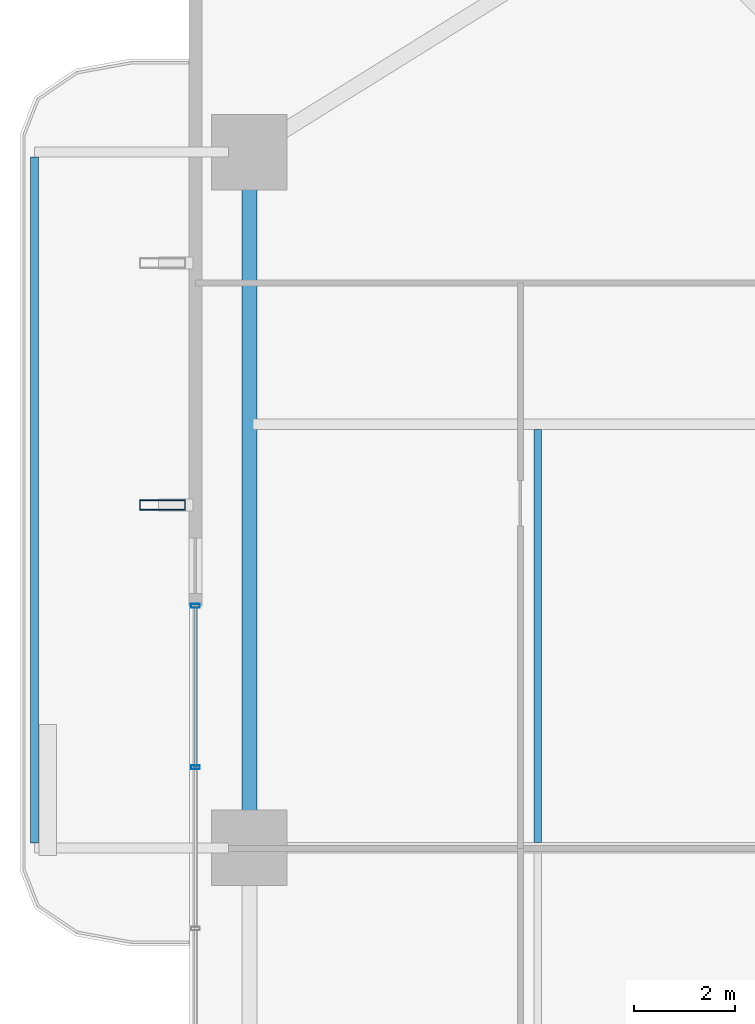
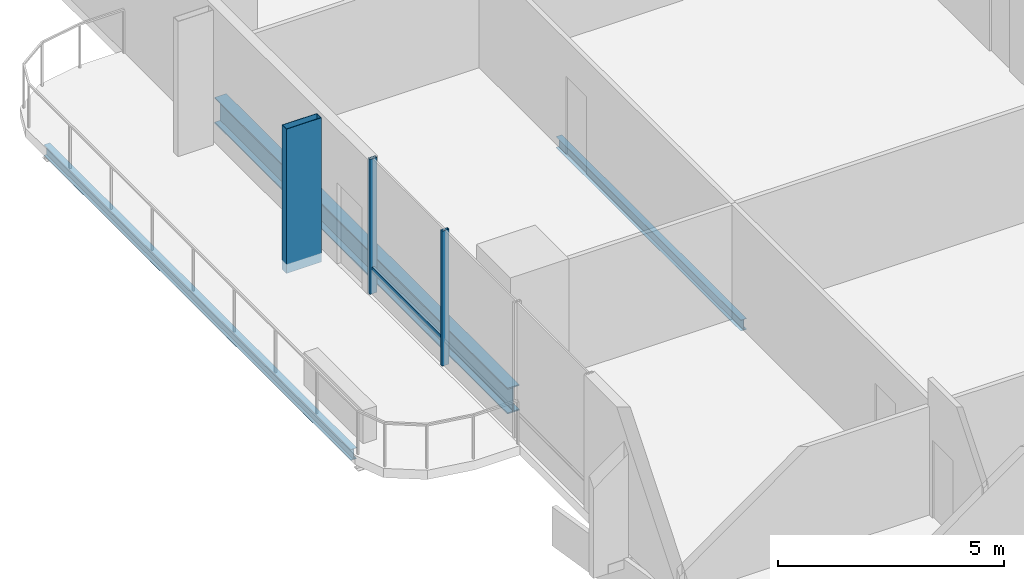
# One storey, part 9 of 23: 4 members, 3 beams, 1 element without a shape of its own.
"""IFC4 building model written with IfcOpenShell, lengths in metres."""

from ifc_helpers import new_model, si_unit, direction, frame, origin, origin_2d, place, context, subcontext, project, spatial, hollow_rectangle, i_section, extrude, material, layer, layer_set, material_profile, profile_set, type_object, element, aggregate, save


model = new_model("IFC4")

# Units and contexts
model_context = context("Model", 3, precision=1e-05, world=origin(), true_north=direction((0.0, 1.0)))
body_context = subcontext(model_context, "Body", "Model", "MODEL_VIEW")
ifc_project = project(units=[si_unit("LENGTHUNIT", "METRE"), si_unit("AREAUNIT", "SQUARE_METRE"), si_unit("VOLUMEUNIT", "CUBIC_METRE"), si_unit("PLANEANGLEUNIT", "RADIAN"), si_unit("MASSUNIT", "GRAM", prefix="KILO")], contexts=[model_context])

# Site, building, storey
site_placement = place(None, origin())
site = spatial("IfcSite", under=ifc_project, at=site_placement, CompositionType="ELEMENT")
building_placement = place(site_placement, origin())
building = spatial("IfcBuilding", under=site, at=building_placement, Name="Belovzor Exchange Tower", CompositionType="ELEMENT")
storey_placement = place(building_placement, frame((0.0, 0.0, 100.199951171875)))
storey = spatial("IfcBuildingStorey", under=building, at=storey_placement, Name="L24", CompositionType="ELEMENT", Elevation=100.199951171875)

# Beams
ifc_material_1 = material(Name="Steel S355", Category="steel")
ifc_material_profile_1 = material_profile(ifc_material_1, i_section(OverallWidth=0.14990234375, OverallDepth=0.300048828125, WebThickness=0.007080078125, FlangeThickness=0.0107421875, at=origin_2d()))
ifc_profile_set_1 = profile_set([ifc_material_profile_1], Name="Steel S355")
beam_type_1 = type_object("IfcBeamType", Name="Planted Balcony Fascia Edge Beam IPE 300", PredefinedType="BEAM", material=ifc_profile_set_1)
beam_1_placement = place(storey_placement, frame((-2.162109375, 42.5, -0.39990234375), z_axis=(0.0, -1.0, 0.0), x_axis=(1.0, 0.0, 0.0)))
element("IfcBeam", 1, at=beam_1_placement, inside=storey, type_object=beam_type_1, Name="BC-300 Planted Balcony Fascia Edge Beam IPE 300", PredefinedType="BEAM", context=body_context, shape_type="SweptSolid", body=[
    extrude(i_section(OverallWidth=0.14990234375, OverallDepth=0.300048828125, WebThickness=0.007080078125, FlangeThickness=0.0107421875, at=origin_2d()), origin(), (0.0, 0.0, 1.0), 13.60009765625),
])
ifc_material_2 = material(Name="Steel S355", Category="steel")
ifc_material_profile_2 = material_profile(ifc_material_2, i_section(OverallWidth=0.14990234375, OverallDepth=0.300048828125, WebThickness=0.007080078125, FlangeThickness=0.0107421875, at=origin_2d()))
ifc_profile_set_2 = profile_set([ifc_material_profile_2], Name="Steel S355")
beam_type_2 = type_object("IfcBeamType", Name="Secondary Trim Floor Joist IPE 300", PredefinedType="BEAM", material=ifc_profile_set_2)
beam_2_placement = place(storey_placement, frame((7.81494140625, 28.905029296875, -0.39990234375), z_axis=(0.0, 1.0, 0.0), x_axis=(-1.0, 0.0, 0.0)))
element("IfcBeam", 2, at=beam_2_placement, inside=storey, type_object=beam_type_2, Name="FJ-300 Secondary Trim Floor Joist IPE 300", PredefinedType="BEAM", context=body_context, shape_type="SweptSolid", body=[
    extrude(i_section(OverallWidth=0.14990234375, OverallDepth=0.300048828125, WebThickness=0.007080078125, FlangeThickness=0.0107421875, at=origin_2d()), origin(), (0.0, 0.0, 1.0), 8.18994140625),
])

# Member
ifc_material_3 = material(Name="Extruded Architectural Terracotta on Steel S355 Carrier", Category="masonry")
ifc_material_profile_3 = material_profile(ifc_material_3, hollow_rectangle(XDim=0.199951171875, YDim=0.89990234375, WallThickness=0.011962890625, at=origin_2d()))
ifc_profile_set_3 = profile_set([ifc_material_profile_3], Name="Extruded Architectural Terracotta on Steel S355 Carrier")
member_type_1 = type_object("IfcMemberType", Name="Sweeping Terracotta Baguette Fin Assembly 1250", PredefinedType="USERDEFINED", material=ifc_profile_set_3)
member_1_placement = place(storey_placement, frame((0.375, 35.60009765625, -0.25), z_axis=(0.0, 0.0, 1.0), x_axis=(0.0, 1.0, 0.0)))
element("IfcMember", 3, at=member_1_placement, inside=storey, type_object=member_type_1, Name="FIN-TC125 Terracotta Facade Fin L24 W3", ObjectType="FIN", PredefinedType="USERDEFINED", context=body_context, shape_type="SweptSolid", body=[
    extrude(hollow_rectangle(XDim=0.199951171875, YDim=0.89990234375, WallThickness=0.011962890625, at=origin_2d()), origin(), (0.0, 0.0, 1.0), 3.900146484375),
])

# Curtain wall, members
ifc_material_4 = material(Name="Anodised Aluminium Framing", Category="aluminium")
ifc_layer = layer(ifc_material_4, 0.179931640625)
ifc_layer_set = layer_set([ifc_layer], Name="Anodised Aluminium Framing")
curtain_wall_type = type_object("IfcCurtainWallType", Name="Recessed Loggia Low-Iron Triple-Glazed Curtain Wall", PredefinedType="NOTDEFINED", material=ifc_layer_set)
curtain_wall_placement = place(storey_placement, origin())
curtain_wall = element("IfcCurtainWall", 4, at=curtain_wall_placement, inside=storey, type_object=curtain_wall_type, Name="CW3 Recessed Loggia Low-Iron Triple-Glazed Curtain Wall L24", PredefinedType="NOTDEFINED")
ifc_material_5 = material(Name="Steel S355", Category="steel")
ifc_material_profile_4 = material_profile(ifc_material_5, hollow_rectangle(XDim=0.074951171875, YDim=0.179931640625, WallThickness=0.0048828125, at=origin_2d()))
ifc_profile_set_4 = profile_set([ifc_material_profile_4], Name="Steel S355")
member_type_2 = type_object("IfcMemberType", Name="Thermally Broken Curtain Wall Mullion 180x75", PredefinedType="MULLION", material=ifc_profile_set_4)
member_2_placement = place(storey_placement, frame((1.030029296875, 30.39990234375, 0.0), z_axis=(0.0, 0.0, 1.0), x_axis=(0.0, 1.0, 0.0)))
member_2 = element("IfcMember", 5, at=member_2_placement, type_object=member_type_2, Name="CW-M180 Curtain Wall Mullion 3", PredefinedType="MULLION", context=body_context, shape_type="SweptSolid", body=[
    extrude(hollow_rectangle(XDim=0.074951171875, YDim=0.179931640625, WallThickness=0.0048828125, at=origin_2d()), origin(), (0.0, 0.0, 1.0), 3.650146484375),
])
member_3_placement = place(storey_placement, frame((1.030029296875, 33.60009765625, 0.0), z_axis=(0.0, 0.0, 1.0), x_axis=(0.0, 1.0, 0.0)))
member_3 = element("IfcMember", 6, at=member_3_placement, type_object=member_type_2, Name="CW-M180 Curtain Wall Mullion 4", PredefinedType="MULLION", context=body_context, shape_type="SweptSolid", body=[
    extrude(hollow_rectangle(XDim=0.074951171875, YDim=0.179931640625, WallThickness=0.0048828125, at=origin_2d()), origin(), (0.0, 0.0, 1.0), 3.650146484375),
])
ifc_material_6 = material(Name="Steel S355", Category="steel")
ifc_material_profile_5 = material_profile(ifc_material_6, hollow_rectangle(XDim=0.06005859375, YDim=0.14990234375, WallThickness=0.00390625, at=origin_2d()))
ifc_profile_set_5 = profile_set([ifc_material_profile_5], Name="Steel S355")
member_type_3 = type_object("IfcMemberType", Name="Thermally Broken Curtain Wall Transom 150x60", PredefinedType="USERDEFINED", material=ifc_profile_set_5)
member_4_placement = place(storey_placement, frame((1.030029296875, 30.407958984375, 0.650146484375), z_axis=(0.0, 1.0, 0.0), x_axis=(-1.0, 0.0, 0.0)))
member_4 = element("IfcMember", 7, at=member_4_placement, type_object=member_type_3, Name="CW-T150 Curtain Wall Transom 3", ObjectType="TRANSOM", PredefinedType="USERDEFINED", context=body_context, shape_type="SweptSolid", body=[
    extrude(hollow_rectangle(XDim=0.06005859375, YDim=0.14990234375, WallThickness=0.00390625, at=origin_2d()), origin(), (0.0, 0.0, 1.0), 3.18408203125),
])
aggregate(curtain_wall, [member_2, member_3, member_4])

# Beam
ifc_material_7 = material(Name="Steel S355", Category="steel")
ifc_material_profile_6 = material_profile(ifc_material_7, i_section(OverallWidth=0.300048828125, OverallDepth=0.699951171875, WebThickness=0.01708984375, FlangeThickness=0.031982421875, at=origin_2d()))
ifc_profile_set_6 = profile_set([ifc_material_profile_6], Name="Steel S355")
beam_type_3 = type_object("IfcBeamType", Name="Zone 1 Primary Perimeter Girder HEB 700", PredefinedType="BEAM", material=ifc_profile_set_6)
beam_3_placement = place(storey_placement, frame((2.10009765625, 42.18798828125, -0.599853515625), z_axis=(0.0, -1.0, 0.0), x_axis=(1.0, 0.0, 0.0)))
element("IfcBeam", 8, at=beam_3_placement, inside=storey, type_object=beam_type_3, Name="FG-Z1 Zone 1 Primary Perimeter Girder HEB 700", PredefinedType="BEAM", context=body_context, shape_type="SweptSolid", body=[
    extrude(i_section(OverallWidth=0.300048828125, OverallDepth=0.699951171875, WebThickness=0.01708984375, FlangeThickness=0.031982421875, at=origin_2d()), origin(), (0.0, 0.0, 1.0), 12.97509765625),
])

save(model, "model.ifc")
